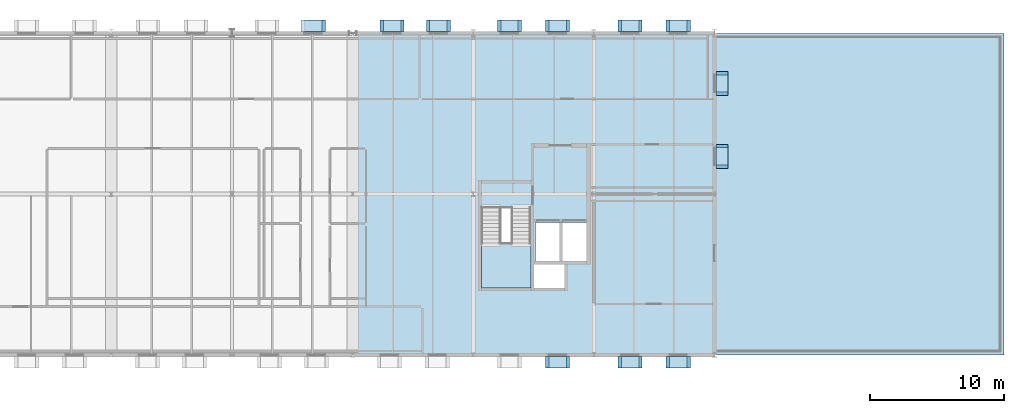
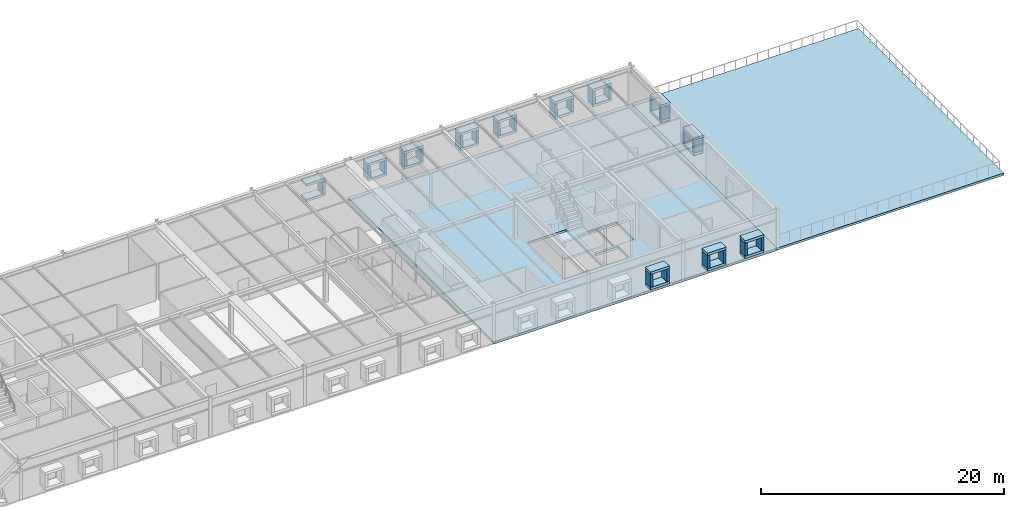
# One storey, part 7 of 17: 47 plates, 3 slabs, 1 element without a shape of its own.
"""IFC4 building model written with IfcOpenShell, lengths in metres."""

from ifc_helpers import new_model, si_unit, direction, frame, origin, origin_2d, place, context, subcontext, project, spatial, polyline, rectangle, outline, extrude, material, layer, layer_set, type_object, element, aggregate, save


model = new_model("IFC4")

# Units and contexts
model_context = context("Model", 3, precision=1e-05, world=origin(), true_north=direction((0.0, 1.0)))
body_context = subcontext(model_context, "Body", "Model", "MODEL_VIEW")
ifc_project = project(units=[si_unit("LENGTHUNIT", "METRE"), si_unit("AREAUNIT", "SQUARE_METRE"), si_unit("VOLUMEUNIT", "CUBIC_METRE"), si_unit("PLANEANGLEUNIT", "RADIAN"), si_unit("MASSUNIT", "GRAM", prefix="KILO")], contexts=[model_context])

# Site, building, storey
site_placement = place(None, origin())
site = spatial("IfcSite", under=ifc_project, at=site_placement, CompositionType="ELEMENT")
building_placement = place(site_placement, origin())
building = spatial("IfcBuilding", under=site, at=building_placement, Name="Montelvaro Courts of Justice", CompositionType="ELEMENT")
storey_placement = place(building_placement, frame((0.0, 0.0, 27.39990234375)))
storey = spatial("IfcBuildingStorey", under=building, at=storey_placement, Name="L06", CompositionType="ELEMENT", Elevation=27.39990234375)

# Slab
ifc_material_1 = material(Name="Concrete C35/45", Category="concrete")
ifc_layer_1 = layer(ifc_material_1, 0.239990234375)
ifc_layer_set_1 = layer_set([ifc_layer_1], Name="Concrete C35/45")
slab_type_1 = type_object("IfcSlabType", Name="FloorSlab_240", PredefinedType="FLOOR", material=ifc_layer_set_1)
slab_1_placement = place(storey_placement, frame((0.0, 0.0, -0.239990234375)))
element("IfcSlab", 1, at=slab_1_placement, inside=storey, type_object=slab_type_1, Name="Structural Slab SF-08 L06", PredefinedType="FLOOR", context=body_context, shape_type="SweptSolid", body=[
    extrude(outline(polyline([(99.050048828125, 0.0), (126.0, 0.0), (126.0, 24.0), (99.050048828125, 24.0), (99.050048828125, 0.0)]), holes=[polyline([(108.60009765625, 5.0), (112.300048828125, 5.0), (112.300048828125, 11.0), (108.60009765625, 11.0), (108.60009765625, 5.0)]), polyline([(112.5400390625, 5.0), (114.800048828125, 5.0), (114.800048828125, 6.760009765625), (112.5400390625, 6.760009765625), (112.5400390625, 5.0)]), polyline([(112.64990234375, 7.0), (114.5, 7.0), (114.5, 9.89990234375), (112.64990234375, 9.89990234375), (112.64990234375, 7.0)]), polyline([(114.60009765625, 7.0), (116.449951171875, 7.0), (116.449951171875, 9.89990234375), (114.60009765625, 9.89990234375), (114.60009765625, 7.0)])]), origin(), (0.0, 0.0, 1.0), 0.239990234375),
])

# Plates
ifc_material_2 = material(Name="White mineral precast concrete C45/55", Category="concrete")
ifc_layer_2 = layer(ifc_material_2, 0.25)
ifc_layer_set_2 = layer_set([ifc_layer_2], Name="White mineral precast concrete C45/55")
plate_type = type_object("IfcPlateType", Name="PrecastSquareFrame_250x850", PredefinedType="SHEET", material=ifc_layer_set_2)
for number, where, z_axis, x_axis, name in (
    (2, (96.05908203125, 24.56005859375, 2.35009765625), (0.0, 0.0, 1.0), (-1.0, 0.0, 0.0), "Graduated Square Window Frame PF-03 W-L06-308 TOP"),
    (3, (96.05908203125, 24.56005859375, 0.800048828125), (0.0, 0.0, 1.0), (-1.0, 0.0, 0.0), "Graduated Square Window Frame PF-03 W-L06-308 BOT"),
):
    element("IfcPlate", number, at=place(storey_placement, frame(where, z_axis=z_axis, x_axis=x_axis)), inside=storey, type_object=plate_type, Name=name, PredefinedType="SHEET", context=body_context, shape_type="SweptSolid", body=[
        extrude(rectangle(XDim=1.800048828125, YDim=0.860107421875, at=origin_2d()), origin(), (0.0, 0.0, 1.0), 0.25),
    ])
plate_placement = place(storey_placement, frame((96.833984375, 24.56005859375, 1.05029296875), z_axis=(0.0, 0.0, 1.0), x_axis=(-1.0, 0.0, 0.0)))
element("IfcPlate", 4, at=plate_placement, inside=storey, type_object=plate_type, Name="Graduated Square Window Frame PF-03 W-L06-308 L", PredefinedType="SHEET", context=body_context, shape_type="SweptSolid", body=[
    extrude(rectangle(XDim=0.25, YDim=0.860107421875, at=origin_2d()), origin(), (0.0, 0.0, 1.0), 1.300048828125),
])
for number, where, z_axis, x_axis, name in (
    (5, (114.297119140625, -0.56005859375, 2.35009765625), (0.0, 0.0, 1.0), (1.0, 0.0, 0.0), "Graduated Square Window Frame PF-03 W-L06-315 TOP"),
    (6, (114.297119140625, -0.56005859375, 0.800048828125), (0.0, 0.0, 1.0), (1.0, 0.0, 0.0), "Graduated Square Window Frame PF-03 W-L06-315 BOT"),
):
    element("IfcPlate", number, at=place(storey_placement, frame(where, z_axis=z_axis, x_axis=x_axis)), inside=storey, type_object=plate_type, Name=name, PredefinedType="SHEET", context=body_context, shape_type="SweptSolid", body=[
        extrude(rectangle(XDim=1.800048828125, YDim=0.860107421875, at=origin_2d()), origin(), (0.0, 0.0, 1.0), 0.25),
    ])
for number, where, z_axis, x_axis, name in (
    (7, (113.52197265625, -0.56005859375, 1.05029296875), (0.0, 0.0, 1.0), (1.0, 0.0, 0.0), "Graduated Square Window Frame PF-03 W-L06-315 L"),
    (8, (115.072021484375, -0.56005859375, 1.05029296875), (0.0, 0.0, 1.0), (1.0, 0.0, 0.0), "Graduated Square Window Frame PF-03 W-L06-315 R"),
):
    element("IfcPlate", number, at=place(storey_placement, frame(where, z_axis=z_axis, x_axis=x_axis)), inside=storey, type_object=plate_type, Name=name, PredefinedType="SHEET", context=body_context, shape_type="SweptSolid", body=[
        extrude(rectangle(XDim=0.25, YDim=0.860107421875, at=origin_2d()), origin(), (0.0, 0.0, 1.0), 1.300048828125),
    ])
for number, where, z_axis, x_axis, name in (
    (9, (119.702880859375, -0.56005859375, 2.35009765625), (0.0, 0.0, 1.0), (1.0, 0.0, 0.0), "Graduated Square Window Frame PF-03 W-L06-316 TOP"),
    (10, (119.702880859375, -0.56005859375, 0.800048828125), (0.0, 0.0, 1.0), (1.0, 0.0, 0.0), "Graduated Square Window Frame PF-03 W-L06-316 BOT"),
):
    element("IfcPlate", number, at=place(storey_placement, frame(where, z_axis=z_axis, x_axis=x_axis)), inside=storey, type_object=plate_type, Name=name, PredefinedType="SHEET", context=body_context, shape_type="SweptSolid", body=[
        extrude(rectangle(XDim=1.800048828125, YDim=0.860107421875, at=origin_2d()), origin(), (0.0, 0.0, 1.0), 0.25),
    ])
for number, where, z_axis, x_axis, name in (
    (11, (118.927978515625, -0.56005859375, 1.05029296875), (0.0, 0.0, 1.0), (1.0, 0.0, 0.0), "Graduated Square Window Frame PF-03 W-L06-316 L"),
    (12, (120.47802734375, -0.56005859375, 1.05029296875), (0.0, 0.0, 1.0), (1.0, 0.0, 0.0), "Graduated Square Window Frame PF-03 W-L06-316 R"),
):
    element("IfcPlate", number, at=place(storey_placement, frame(where, z_axis=z_axis, x_axis=x_axis)), inside=storey, type_object=plate_type, Name=name, PredefinedType="SHEET", context=body_context, shape_type="SweptSolid", body=[
        extrude(rectangle(XDim=0.25, YDim=0.860107421875, at=origin_2d()), origin(), (0.0, 0.0, 1.0), 1.300048828125),
    ])
for number, where, z_axis, x_axis, name in (
    (13, (123.297119140625, -0.56005859375, 2.35009765625), (0.0, 0.0, 1.0), (1.0, 0.0, 0.0), "Graduated Square Window Frame PF-03 W-L06-317 TOP"),
    (14, (123.297119140625, -0.56005859375, 0.800048828125), (0.0, 0.0, 1.0), (1.0, 0.0, 0.0), "Graduated Square Window Frame PF-03 W-L06-317 BOT"),
):
    element("IfcPlate", number, at=place(storey_placement, frame(where, z_axis=z_axis, x_axis=x_axis)), inside=storey, type_object=plate_type, Name=name, PredefinedType="SHEET", context=body_context, shape_type="SweptSolid", body=[
        extrude(rectangle(XDim=1.800048828125, YDim=0.860107421875, at=origin_2d()), origin(), (0.0, 0.0, 1.0), 0.25),
    ])
for number, where, z_axis, x_axis, name in (
    (15, (122.52197265625, -0.56005859375, 1.05029296875), (0.0, 0.0, 1.0), (1.0, 0.0, 0.0), "Graduated Square Window Frame PF-03 W-L06-317 L"),
    (16, (124.072021484375, -0.56005859375, 1.05029296875), (0.0, 0.0, 1.0), (1.0, 0.0, 0.0), "Graduated Square Window Frame PF-03 W-L06-317 R"),
):
    element("IfcPlate", number, at=place(storey_placement, frame(where, z_axis=z_axis, x_axis=x_axis)), inside=storey, type_object=plate_type, Name=name, PredefinedType="SHEET", context=body_context, shape_type="SweptSolid", body=[
        extrude(rectangle(XDim=0.25, YDim=0.860107421875, at=origin_2d()), origin(), (0.0, 0.0, 1.0), 1.300048828125),
    ])
for number, where, z_axis, x_axis, name in (
    (17, (126.56005859375, 14.81005859375, 2.35009765625), (0.0, 0.0, 1.0), (0.0, 1.0, 0.0), "Graduated Square Window Frame PF-03 W-L06-318 TOP"),
    (18, (126.56005859375, 14.81005859375, 0.800048828125), (0.0, 0.0, 1.0), (0.0, 1.0, 0.0), "Graduated Square Window Frame PF-03 W-L06-318 BOT"),
):
    element("IfcPlate", number, at=place(storey_placement, frame(where, z_axis=z_axis, x_axis=x_axis)), inside=storey, type_object=plate_type, Name=name, PredefinedType="SHEET", context=body_context, shape_type="SweptSolid", body=[
        extrude(rectangle(XDim=1.800048828125, YDim=0.860107421875, at=origin_2d()), origin(), (0.0, 0.0, 1.0), 0.25),
    ])
for number, where, z_axis, x_axis, name in (
    (19, (126.56005859375, 14.034912109375, 1.05029296875), (0.0, 0.0, 1.0), (0.0, 1.0, 0.0), "Graduated Square Window Frame PF-03 W-L06-318 L"),
    (20, (126.56005859375, 15.5849609375, 1.05029296875), (0.0, 0.0, 1.0), (0.0, 1.0, 0.0), "Graduated Square Window Frame PF-03 W-L06-318 R"),
):
    element("IfcPlate", number, at=place(storey_placement, frame(where, z_axis=z_axis, x_axis=x_axis)), inside=storey, type_object=plate_type, Name=name, PredefinedType="SHEET", context=body_context, shape_type="SweptSolid", body=[
        extrude(rectangle(XDim=0.25, YDim=0.860107421875, at=origin_2d()), origin(), (0.0, 0.0, 1.0), 1.300048828125),
    ])
for number, where, z_axis, x_axis, name in (
    (21, (126.56005859375, 20.25, 2.35009765625), (0.0, 0.0, 1.0), (0.0, 1.0, 0.0), "Graduated Square Window Frame PF-03 W-L06-319 TOP"),
    (22, (126.56005859375, 20.25, 0.800048828125), (0.0, 0.0, 1.0), (0.0, 1.0, 0.0), "Graduated Square Window Frame PF-03 W-L06-319 BOT"),
):
    element("IfcPlate", number, at=place(storey_placement, frame(where, z_axis=z_axis, x_axis=x_axis)), inside=storey, type_object=plate_type, Name=name, PredefinedType="SHEET", context=body_context, shape_type="SweptSolid", body=[
        extrude(rectangle(XDim=1.800048828125, YDim=0.860107421875, at=origin_2d()), origin(), (0.0, 0.0, 1.0), 0.25),
    ])
for number, where, z_axis, x_axis, name in (
    (23, (126.56005859375, 19.47509765625, 1.05029296875), (0.0, 0.0, 1.0), (0.0, 1.0, 0.0), "Graduated Square Window Frame PF-03 W-L06-319 L"),
    (24, (126.56005859375, 21.02490234375, 1.05029296875), (0.0, 0.0, 1.0), (0.0, 1.0, 0.0), "Graduated Square Window Frame PF-03 W-L06-319 R"),
):
    element("IfcPlate", number, at=place(storey_placement, frame(where, z_axis=z_axis, x_axis=x_axis)), inside=storey, type_object=plate_type, Name=name, PredefinedType="SHEET", context=body_context, shape_type="SweptSolid", body=[
        extrude(rectangle(XDim=0.25, YDim=0.860107421875, at=origin_2d()), origin(), (0.0, 0.0, 1.0), 1.300048828125),
    ])
for number, where, z_axis, x_axis, name in (
    (25, (123.297119140625, 24.56005859375, 2.35009765625), (0.0, 0.0, 1.0), (-1.0, 0.0, 0.0), "Graduated Square Window Frame PF-03 W-L06-320 TOP"),
    (26, (123.297119140625, 24.56005859375, 0.800048828125), (0.0, 0.0, 1.0), (-1.0, 0.0, 0.0), "Graduated Square Window Frame PF-03 W-L06-320 BOT"),
):
    element("IfcPlate", number, at=place(storey_placement, frame(where, z_axis=z_axis, x_axis=x_axis)), inside=storey, type_object=plate_type, Name=name, PredefinedType="SHEET", context=body_context, shape_type="SweptSolid", body=[
        extrude(rectangle(XDim=1.800048828125, YDim=0.860107421875, at=origin_2d()), origin(), (0.0, 0.0, 1.0), 0.25),
    ])
for number, where, z_axis, x_axis, name in (
    (27, (124.072021484375, 24.56005859375, 1.05029296875), (0.0, 0.0, 1.0), (-1.0, 0.0, 0.0), "Graduated Square Window Frame PF-03 W-L06-320 L"),
    (28, (122.52197265625, 24.56005859375, 1.05029296875), (0.0, 0.0, 1.0), (-1.0, 0.0, 0.0), "Graduated Square Window Frame PF-03 W-L06-320 R"),
):
    element("IfcPlate", number, at=place(storey_placement, frame(where, z_axis=z_axis, x_axis=x_axis)), inside=storey, type_object=plate_type, Name=name, PredefinedType="SHEET", context=body_context, shape_type="SweptSolid", body=[
        extrude(rectangle(XDim=0.25, YDim=0.860107421875, at=origin_2d()), origin(), (0.0, 0.0, 1.0), 1.300048828125),
    ])
for number, where, z_axis, x_axis, name in (
    (29, (119.702880859375, 24.56005859375, 2.35009765625), (0.0, 0.0, 1.0), (-1.0, 0.0, 0.0), "Graduated Square Window Frame PF-03 W-L06-321 TOP"),
    (30, (119.702880859375, 24.56005859375, 0.800048828125), (0.0, 0.0, 1.0), (-1.0, 0.0, 0.0), "Graduated Square Window Frame PF-03 W-L06-321 BOT"),
):
    element("IfcPlate", number, at=place(storey_placement, frame(where, z_axis=z_axis, x_axis=x_axis)), inside=storey, type_object=plate_type, Name=name, PredefinedType="SHEET", context=body_context, shape_type="SweptSolid", body=[
        extrude(rectangle(XDim=1.800048828125, YDim=0.860107421875, at=origin_2d()), origin(), (0.0, 0.0, 1.0), 0.25),
    ])
for number, where, z_axis, x_axis, name in (
    (31, (120.47802734375, 24.56005859375, 1.05029296875), (0.0, 0.0, 1.0), (-1.0, 0.0, 0.0), "Graduated Square Window Frame PF-03 W-L06-321 L"),
    (32, (118.927978515625, 24.56005859375, 1.05029296875), (0.0, 0.0, 1.0), (-1.0, 0.0, 0.0), "Graduated Square Window Frame PF-03 W-L06-321 R"),
):
    element("IfcPlate", number, at=place(storey_placement, frame(where, z_axis=z_axis, x_axis=x_axis)), inside=storey, type_object=plate_type, Name=name, PredefinedType="SHEET", context=body_context, shape_type="SweptSolid", body=[
        extrude(rectangle(XDim=0.25, YDim=0.860107421875, at=origin_2d()), origin(), (0.0, 0.0, 1.0), 1.300048828125),
    ])
for number, where, z_axis, x_axis, name in (
    (33, (114.297119140625, 24.56005859375, 2.35009765625), (0.0, 0.0, 1.0), (-1.0, 0.0, 0.0), "Graduated Square Window Frame PF-03 W-L06-322 TOP"),
    (34, (114.297119140625, 24.56005859375, 0.800048828125), (0.0, 0.0, 1.0), (-1.0, 0.0, 0.0), "Graduated Square Window Frame PF-03 W-L06-322 BOT"),
):
    element("IfcPlate", number, at=place(storey_placement, frame(where, z_axis=z_axis, x_axis=x_axis)), inside=storey, type_object=plate_type, Name=name, PredefinedType="SHEET", context=body_context, shape_type="SweptSolid", body=[
        extrude(rectangle(XDim=1.800048828125, YDim=0.860107421875, at=origin_2d()), origin(), (0.0, 0.0, 1.0), 0.25),
    ])
for number, where, z_axis, x_axis, name in (
    (35, (115.072021484375, 24.56005859375, 1.05029296875), (0.0, 0.0, 1.0), (-1.0, 0.0, 0.0), "Graduated Square Window Frame PF-03 W-L06-322 L"),
    (36, (113.52197265625, 24.56005859375, 1.05029296875), (0.0, 0.0, 1.0), (-1.0, 0.0, 0.0), "Graduated Square Window Frame PF-03 W-L06-322 R"),
):
    element("IfcPlate", number, at=place(storey_placement, frame(where, z_axis=z_axis, x_axis=x_axis)), inside=storey, type_object=plate_type, Name=name, PredefinedType="SHEET", context=body_context, shape_type="SweptSolid", body=[
        extrude(rectangle(XDim=0.25, YDim=0.860107421875, at=origin_2d()), origin(), (0.0, 0.0, 1.0), 1.300048828125),
    ])
for number, where, z_axis, x_axis, name in (
    (37, (110.702880859375, 24.56005859375, 2.35009765625), (0.0, 0.0, 1.0), (-1.0, 0.0, 0.0), "Graduated Square Window Frame PF-03 W-L06-323 TOP"),
    (38, (110.702880859375, 24.56005859375, 0.800048828125), (0.0, 0.0, 1.0), (-1.0, 0.0, 0.0), "Graduated Square Window Frame PF-03 W-L06-323 BOT"),
):
    element("IfcPlate", number, at=place(storey_placement, frame(where, z_axis=z_axis, x_axis=x_axis)), inside=storey, type_object=plate_type, Name=name, PredefinedType="SHEET", context=body_context, shape_type="SweptSolid", body=[
        extrude(rectangle(XDim=1.800048828125, YDim=0.860107421875, at=origin_2d()), origin(), (0.0, 0.0, 1.0), 0.25),
    ])
for number, where, z_axis, x_axis, name in (
    (39, (111.47802734375, 24.56005859375, 1.05029296875), (0.0, 0.0, 1.0), (-1.0, 0.0, 0.0), "Graduated Square Window Frame PF-03 W-L06-323 L"),
    (40, (109.927978515625, 24.56005859375, 1.05029296875), (0.0, 0.0, 1.0), (-1.0, 0.0, 0.0), "Graduated Square Window Frame PF-03 W-L06-323 R"),
):
    element("IfcPlate", number, at=place(storey_placement, frame(where, z_axis=z_axis, x_axis=x_axis)), inside=storey, type_object=plate_type, Name=name, PredefinedType="SHEET", context=body_context, shape_type="SweptSolid", body=[
        extrude(rectangle(XDim=0.25, YDim=0.860107421875, at=origin_2d()), origin(), (0.0, 0.0, 1.0), 1.300048828125),
    ])
for number, where, z_axis, x_axis, name in (
    (41, (105.39892578125, 24.56005859375, 2.35009765625), (0.0, 0.0, 1.0), (-1.0, 0.0, 0.0), "Graduated Square Window Frame PF-03 W-L06-324 TOP"),
    (42, (105.39892578125, 24.56005859375, 0.800048828125), (0.0, 0.0, 1.0), (-1.0, 0.0, 0.0), "Graduated Square Window Frame PF-03 W-L06-324 BOT"),
):
    element("IfcPlate", number, at=place(storey_placement, frame(where, z_axis=z_axis, x_axis=x_axis)), inside=storey, type_object=plate_type, Name=name, PredefinedType="SHEET", context=body_context, shape_type="SweptSolid", body=[
        extrude(rectangle(XDim=1.800048828125, YDim=0.860107421875, at=origin_2d()), origin(), (0.0, 0.0, 1.0), 0.25),
    ])
for number, where, z_axis, x_axis, name in (
    (43, (106.174072265625, 24.56005859375, 1.05029296875), (0.0, 0.0, 1.0), (-1.0, 0.0, 0.0), "Graduated Square Window Frame PF-03 W-L06-324 L"),
    (44, (104.6240234375, 24.56005859375, 1.05029296875), (0.0, 0.0, 1.0), (-1.0, 0.0, 0.0), "Graduated Square Window Frame PF-03 W-L06-324 R"),
):
    element("IfcPlate", number, at=place(storey_placement, frame(where, z_axis=z_axis, x_axis=x_axis)), inside=storey, type_object=plate_type, Name=name, PredefinedType="SHEET", context=body_context, shape_type="SweptSolid", body=[
        extrude(rectangle(XDim=0.25, YDim=0.860107421875, at=origin_2d()), origin(), (0.0, 0.0, 1.0), 1.300048828125),
    ])
for number, where, z_axis, x_axis, name in (
    (45, (101.94091796875, 24.56005859375, 2.35009765625), (0.0, 0.0, 1.0), (-1.0, 0.0, 0.0), "Graduated Square Window Frame PF-03 W-L06-325 TOP"),
    (46, (101.94091796875, 24.56005859375, 0.800048828125), (0.0, 0.0, 1.0), (-1.0, 0.0, 0.0), "Graduated Square Window Frame PF-03 W-L06-325 BOT"),
):
    element("IfcPlate", number, at=place(storey_placement, frame(where, z_axis=z_axis, x_axis=x_axis)), inside=storey, type_object=plate_type, Name=name, PredefinedType="SHEET", context=body_context, shape_type="SweptSolid", body=[
        extrude(rectangle(XDim=1.800048828125, YDim=0.860107421875, at=origin_2d()), origin(), (0.0, 0.0, 1.0), 0.25),
    ])
for number, where, z_axis, x_axis, name in (
    (47, (102.716064453125, 24.56005859375, 1.05029296875), (0.0, 0.0, 1.0), (-1.0, 0.0, 0.0), "Graduated Square Window Frame PF-03 W-L06-325 L"),
    (48, (101.166015625, 24.56005859375, 1.05029296875), (0.0, 0.0, 1.0), (-1.0, 0.0, 0.0), "Graduated Square Window Frame PF-03 W-L06-325 R"),
):
    element("IfcPlate", number, at=place(storey_placement, frame(where, z_axis=z_axis, x_axis=x_axis)), inside=storey, type_object=plate_type, Name=name, PredefinedType="SHEET", context=body_context, shape_type="SweptSolid", body=[
        extrude(rectangle(XDim=0.25, YDim=0.860107421875, at=origin_2d()), origin(), (0.0, 0.0, 1.0), 1.300048828125),
    ])

# Stair, slab
stair_type = type_object("IfcStairType", Name="ProtectedStair_145", PredefinedType="HALF_TURN_STAIR", material=ifc_material_1)
stair_placement = place(storey_placement, origin())
stair = element("IfcStair", 49, at=stair_placement, inside=storey, type_object=stair_type, Name="Protected Stair ST-K2-L06", PredefinedType="HALF_TURN_STAIR")
ifc_layer_3 = layer(ifc_material_1, 0.199951171875)
ifc_layer_set_3 = layer_set([ifc_layer_3], Name="Concrete C35/45")
slab_type_2 = type_object("IfcSlabType", Name="StairLanding_200", PredefinedType="LANDING", material=ifc_layer_set_3)
slab_2_placement = place(storey_placement, frame((0.0, 0.0, 1.800048828125)))
slab_2 = element("IfcSlab", 50, at=slab_2_placement, type_object=slab_type_2, Name="ST-K2-L06 landing 1", PredefinedType="LANDING", context=body_context, shape_type="SweptSolid", body=[
    extrude(outline(polyline([(108.60009765625, 5.0), (112.300048828125, 5.0), (112.300048828125, 8.304931640625), (108.60009765625, 8.304931640625), (108.60009765625, 5.0)])), origin(), (0.0, 0.0, 1.0), 0.199951171875),
])
aggregate(stair, [slab_2])

# Slab
ifc_layer_4 = layer(ifc_material_1, 0.219970703125)
ifc_layer_set_4 = layer_set([ifc_layer_4], Name="Concrete C35/45")
slab_type_3 = type_object("IfcSlabType", Name="TerraceSlab_220", PredefinedType="FLOOR", material=ifc_layer_set_4)
slab_3_placement = place(storey_placement, frame((0.0, 0.0, -0.219970703125)))
element("IfcSlab", 51, at=slab_3_placement, inside=storey, type_object=slab_type_3, Name="Middle Bar East Overhang Sky Terrace", PredefinedType="FLOOR", context=body_context, shape_type="SweptSolid", body=[
    extrude(outline(polyline([(126.0, 0.0), (147.60009765625, 0.0), (147.60009765625, 24.0), (126.0, 24.0), (126.0, 0.0)])), origin(), (0.0, 0.0, 1.0), 0.219970703125),
])

save(model, "model.ifc")
